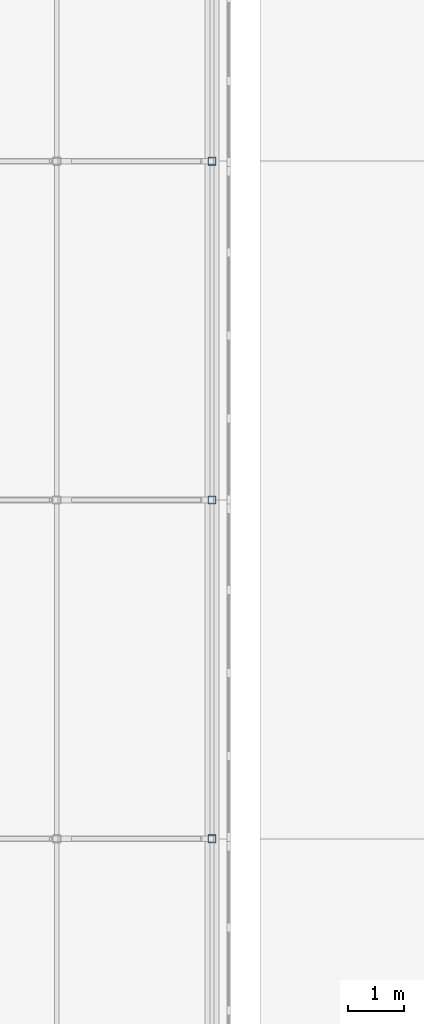
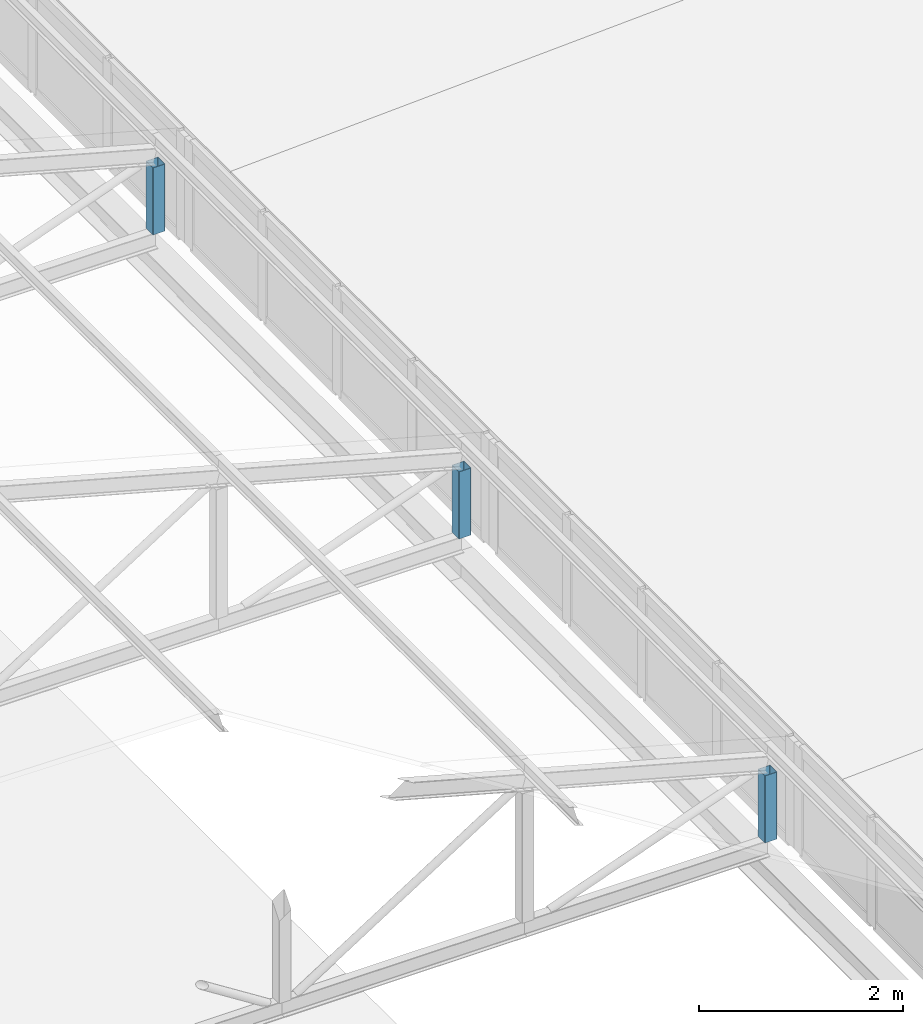
# One storey, part 72 of 94: 3 members.
"""IFC4 building model written with IfcOpenShell, lengths in metres."""

from ifc_helpers import new_model, si_unit, direction, frame, origin, origin_2d, place, context, subcontext, project, spatial, hollow_rectangle, extrude, material, material_profile, profile_set, type_object, element, save


model = new_model("IFC4")

# Units and contexts
model_context = context("Model", 3, precision=1e-05, world=origin(), true_north=direction((0.0, 1.0)))
body_context = subcontext(model_context, "Body", "Model", "MODEL_VIEW")
ifc_project = project(units=[si_unit("LENGTHUNIT", "METRE"), si_unit("AREAUNIT", "SQUARE_METRE"), si_unit("VOLUMEUNIT", "CUBIC_METRE"), si_unit("PLANEANGLEUNIT", "RADIAN"), si_unit("MASSUNIT", "GRAM", prefix="KILO")], contexts=[model_context])

# Site, building, storey
site_placement = place(None, origin())
site = spatial("IfcSite", under=ifc_project, at=site_placement, CompositionType="ELEMENT")
building_placement = place(site_placement, origin())
building = spatial("IfcBuilding", under=site, at=building_placement, Name="Lilac Gate Convention Centre", CompositionType="ELEMENT")
storey_placement = place(building_placement, frame((0.0, 0.0, 21.0)))
storey = spatial("IfcBuildingStorey", under=building, at=storey_placement, Name="L04", CompositionType="ELEMENT", Elevation=21.0)

# Members
ifc_material = material(Name="Steel Q355B", Category="steel")
ifc_material_profile = material_profile(ifc_material, hollow_rectangle(XDim=0.139892578125, YDim=0.139892578125, WallThickness=0.0048828125, InnerFilletRadius=0.0048828125, OuterFilletRadius=0.010009765625, at=origin_2d()), Name="SHS140x140x5")
ifc_profile_set = profile_set([ifc_material_profile], Name="Steel Q355B")
member_type = type_object("IfcMemberType", Name="Lantern post SHS140x140x5", PredefinedType="STRUT", material=ifc_profile_set)
for number, where, z_axis, x_axis, name in (
    (1, (28.60009765625, 138.0, 0.199951171875), (0.0, 0.0, 1.0), (1.0, 0.0, 0.0), "LV1 lantern truss 19 post 5"),
    (2, (28.60009765625, 144.0, 0.199951171875), (0.0, 0.0, 1.0), (1.0, 0.0, 0.0), "LV1 lantern truss 20 post 5"),
    (3, (28.60009765625, 150.0, 0.199951171875), (0.0, 0.0, 1.0), (1.0, 0.0, 0.0), "LV1 lantern truss 21 post 5"),
):
    element("IfcMember", number, at=place(storey_placement, frame(where, z_axis=z_axis, x_axis=x_axis)), inside=storey, type_object=member_type, Name=name, PredefinedType="STRUT", context=body_context, shape_type="SweptSolid", body=[
        extrude(hollow_rectangle(XDim=0.139892578125, YDim=0.139892578125, WallThickness=0.0048828125, InnerFilletRadius=0.0048828125, OuterFilletRadius=0.010009765625, at=origin_2d()), origin(), (0.0, 0.0, 1.0), 0.802001953125),
    ])

save(model, "model.ifc")
